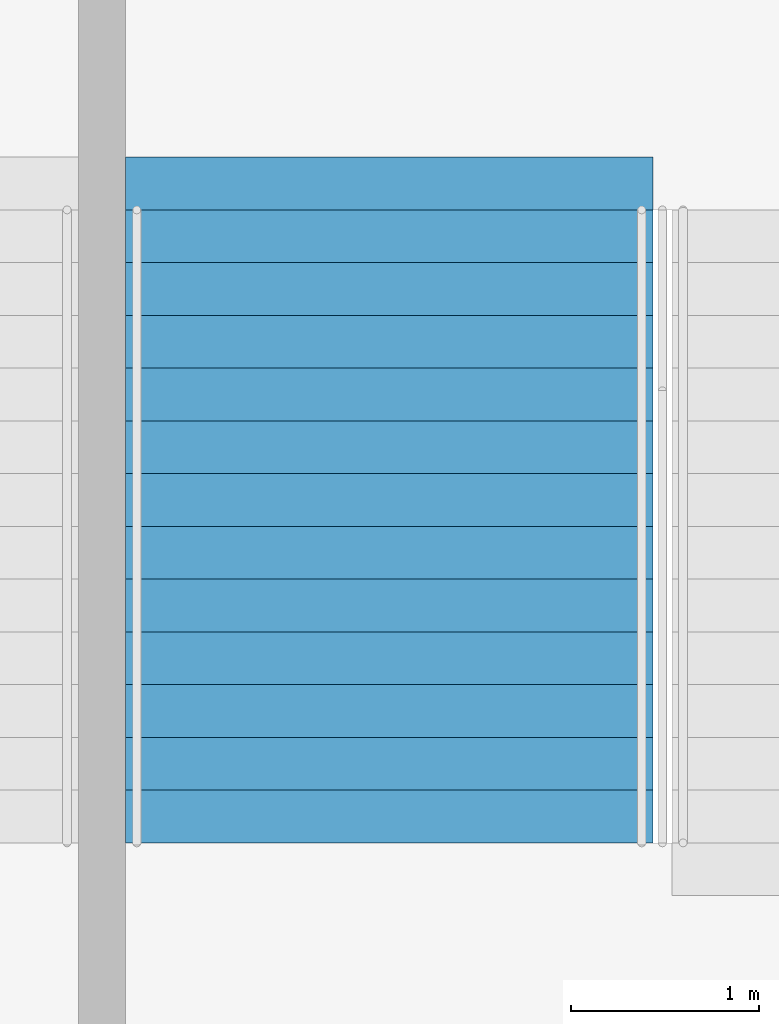
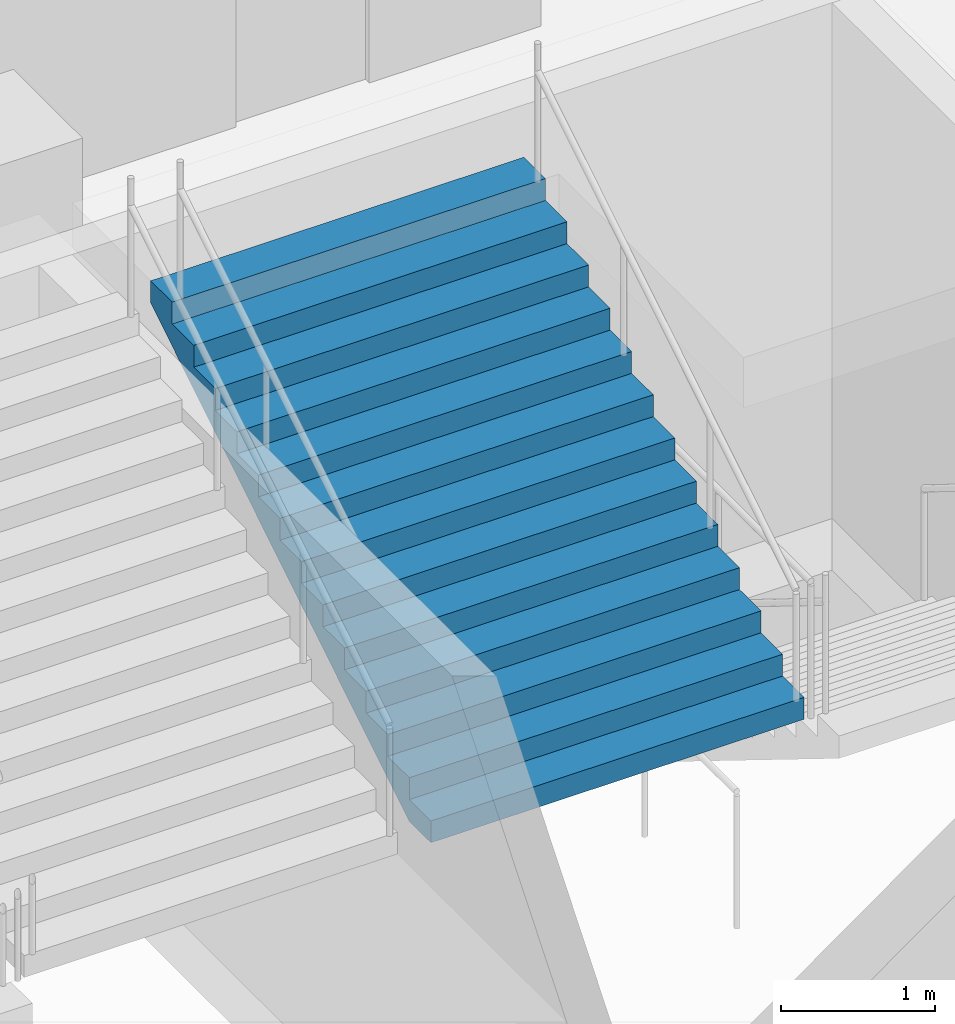
# One storey, part 119 of 199: 1 stair flight, 1 element without a shape of its own.
"""IFC4 building model written with IfcOpenShell, lengths in metres."""

from ifc_helpers import new_model, si_unit, direction, frame, origin, place, context, subcontext, project, spatial, faceted_brep, material, type_object, element, aggregate, save


model = new_model("IFC4")

# Units and contexts
model_context = context("Model", 3, precision=1e-05, world=origin(), true_north=direction((0.0, 1.0)))
body_context = subcontext(model_context, "Body", "Model", "MODEL_VIEW")
ifc_project = project(units=[si_unit("LENGTHUNIT", "METRE"), si_unit("AREAUNIT", "SQUARE_METRE"), si_unit("VOLUMEUNIT", "CUBIC_METRE"), si_unit("PLANEANGLEUNIT", "RADIAN"), si_unit("MASSUNIT", "GRAM", prefix="KILO")], contexts=[model_context])

# Site, building, storey
site_placement = place(None, origin())
site = spatial("IfcSite", under=ifc_project, at=site_placement, CompositionType="ELEMENT")
building_placement = place(site_placement, origin())
building = spatial("IfcBuilding", under=site, at=building_placement, Name="Ogive Plaza Stadium", CompositionType="ELEMENT")
storey_placement = place(building_placement, frame((0.0, 0.0, 9.0)))
storey = spatial("IfcBuildingStorey", under=building, at=storey_placement, Name="L02", CompositionType="ELEMENT", Elevation=9.0)

# Stair, stair flight
ifc_material_1 = material(Name="Concrete C40/50", Category="concrete")
stair_type = type_object("IfcStairType", Name="Exit stair", PredefinedType="STRAIGHT_RUN_STAIR", material=ifc_material_1)
stair_placement = place(storey_placement, origin())
stair = element("IfcStair", 1, at=stair_placement, inside=storey, type_object=stair_type, Name="Exit stair ST14B L02 to L03", PredefinedType="STRAIGHT_RUN_STAIR")
ifc_material_2 = material(Name="Concrete C40/50", Category="concrete")
stair_flight_type = type_object("IfcStairFlightType", Name="Exit stair flight", PredefinedType="STRAIGHT", material=ifc_material_2)
stair_flight_placement = place(storey_placement, frame((8.324951171875, -98.2099609375, 2.25), z_axis=(0.0, 0.0, 1.0), x_axis=(0.0, 1.0, 0.0)))
stair_flight = element("IfcStairFlight", 2, at=stair_flight_placement, type_object=stair_flight_type, Name="ST14B flight 2", NumberOfRisers=13, NumberOfTreads=12, PredefinedType="STRAIGHT", RiserHeight=0.173076923, TreadLength=0.28, context=body_context, shape_type="Brep", body=[
    faceted_brep([(0.28515625, -1.39990234375, 0.0), (3.639892578125, -1.39990234375, 2.07373046875), (3.639892578125, -1.39990234375, 2.25), (3.360107421875, -1.39990234375, 2.25), (3.360107421875, -1.39990234375, 2.076904296875), (3.080078125, -1.39990234375, 2.076904296875), (3.080078125, -1.39990234375, 1.90380859375), (2.800048828125, -1.39990234375, 1.90380859375), (2.800048828125, -1.39990234375, 1.730712890625), (2.52001953125, -1.39990234375, 1.730712890625), (2.52001953125, -1.39990234375, 1.5576171875), (2.239990234375, -1.39990234375, 1.5576171875), (2.239990234375, -1.39990234375, 1.384521484375), (1.9599609375, -1.39990234375, 1.384521484375), (1.9599609375, -1.39990234375, 1.21142578125), (1.679931640625, -1.39990234375, 1.21142578125), (1.679931640625, -1.39990234375, 1.03857421875), (1.39990234375, -1.39990234375, 1.03857421875), (1.39990234375, -1.39990234375, 0.865478515625), (1.1201171875, -1.39990234375, 0.865478515625), (1.1201171875, -1.39990234375, 0.6923828125), (0.840087890625, -1.39990234375, 0.6923828125), (0.840087890625, -1.39990234375, 0.519287109375), (0.56005859375, -1.39990234375, 0.519287109375), (0.56005859375, -1.39990234375, 0.34619140625), (0.280029296875, -1.39990234375, 0.34619140625), (0.280029296875, -1.39990234375, 0.173095703125), (0.0, -1.39990234375, 0.173095703125), (0.0, -1.39990234375, 0.0), (0.0, 1.39990234375, 0.0), (0.0, 1.39990234375, 0.173095703125), (0.280029296875, 1.39990234375, 0.173095703125), (0.280029296875, 1.39990234375, 0.34619140625), (0.56005859375, 1.39990234375, 0.34619140625), (0.56005859375, 1.39990234375, 0.519287109375), (0.840087890625, 1.39990234375, 0.519287109375), (0.840087890625, 1.39990234375, 0.6923828125), (1.1201171875, 1.39990234375, 0.6923828125), (1.1201171875, 1.39990234375, 0.865478515625), (1.39990234375, 1.39990234375, 0.865478515625), (1.39990234375, 1.39990234375, 1.03857421875), (1.679931640625, 1.39990234375, 1.03857421875), (1.679931640625, 1.39990234375, 1.21142578125), (1.9599609375, 1.39990234375, 1.21142578125), (1.9599609375, 1.39990234375, 1.384521484375), (2.239990234375, 1.39990234375, 1.384521484375), (2.239990234375, 1.39990234375, 1.5576171875), (2.52001953125, 1.39990234375, 1.5576171875), (2.52001953125, 1.39990234375, 1.730712890625), (2.800048828125, 1.39990234375, 1.730712890625), (2.800048828125, 1.39990234375, 1.90380859375), (3.080078125, 1.39990234375, 1.90380859375), (3.080078125, 1.39990234375, 2.076904296875), (3.360107421875, 1.39990234375, 2.076904296875), (3.360107421875, 1.39990234375, 2.25), (3.639892578125, 1.39990234375, 2.25), (3.639892578125, 1.39990234375, 2.07373046875), (0.28515625, 1.39990234375, 0.0), (0.28515625, -1.0888671875, 0.0), (3.639892578125, -1.0888671875, 2.07373046875), (0.28515625, -0.77783203125, 0.0), (3.639892578125, -0.77783203125, 2.07373046875), (0.28515625, -0.466796875, 0.0), (3.639892578125, -0.466796875, 2.07373046875), (0.28515625, -0.155517578125, 0.0), (3.639892578125, -0.155517578125, 2.07373046875), (0.28515625, 0.155517578125, 0.0), (3.639892578125, 0.155517578125, 2.07373046875), (0.28515625, 0.466796875, 0.0), (3.639892578125, 0.466796875, 2.07373046875), (0.28515625, 0.77783203125, 0.0), (3.639892578125, 0.77783203125, 2.07373046875), (0.28515625, 1.0888671875, 0.0), (3.639892578125, 1.0888671875, 2.07373046875), (3.639892578125, -1.0888671875, 2.25), (3.639892578125, -0.77783203125, 2.25), (3.639892578125, -0.466796875, 2.25), (3.639892578125, -0.155517578125, 2.25), (3.639892578125, 0.155517578125, 2.25), (3.639892578125, 0.466796875, 2.25), (3.639892578125, 0.77783203125, 2.25), (3.639892578125, 1.0888671875, 2.25), (3.360107421875, -1.0888671875, 2.25), (3.360107421875, -0.77783203125, 2.25), (3.360107421875, -0.466796875, 2.25), (3.360107421875, -0.155517578125, 2.25), (3.360107421875, 0.155517578125, 2.25), (3.360107421875, 0.466796875, 2.25), (3.360107421875, 0.77783203125, 2.25), (3.360107421875, 1.0888671875, 2.25), (3.360107421875, -1.0888671875, 2.076904296875), (3.360107421875, -0.77783203125, 2.076904296875), (3.360107421875, -0.466796875, 2.076904296875), (3.360107421875, -0.155517578125, 2.076904296875), (3.360107421875, 0.155517578125, 2.076904296875), (3.360107421875, 0.466796875, 2.076904296875), (3.360107421875, 0.77783203125, 2.076904296875), (3.360107421875, 1.0888671875, 2.076904296875), (3.080078125, -1.0888671875, 2.076904296875), (3.080078125, -0.77783203125, 2.076904296875), (3.080078125, -0.466796875, 2.076904296875), (3.080078125, -0.155517578125, 2.076904296875), (3.080078125, 0.155517578125, 2.076904296875), (3.080078125, 0.466796875, 2.076904296875), (3.080078125, 0.77783203125, 2.076904296875), (3.080078125, 1.0888671875, 2.076904296875), (3.080078125, -1.0888671875, 1.90380859375), (3.080078125, -0.77783203125, 1.90380859375), (3.080078125, -0.466796875, 1.90380859375), (3.080078125, -0.155517578125, 1.90380859375), (3.080078125, 0.155517578125, 1.90380859375), (3.080078125, 0.466796875, 1.90380859375), (3.080078125, 0.77783203125, 1.90380859375), (3.080078125, 1.0888671875, 1.90380859375), (2.800048828125, -1.0888671875, 1.90380859375), (2.800048828125, -0.77783203125, 1.90380859375), (2.800048828125, -0.466796875, 1.90380859375), (2.800048828125, -0.155517578125, 1.90380859375), (2.800048828125, 0.155517578125, 1.90380859375), (2.800048828125, 0.466796875, 1.90380859375), (2.800048828125, 0.77783203125, 1.90380859375), (2.800048828125, 1.0888671875, 1.90380859375), (2.800048828125, -1.0888671875, 1.730712890625), (2.800048828125, -0.77783203125, 1.730712890625), (2.800048828125, -0.466796875, 1.730712890625), (2.800048828125, -0.155517578125, 1.730712890625), (2.800048828125, 0.155517578125, 1.730712890625), (2.800048828125, 0.466796875, 1.730712890625), (2.800048828125, 0.77783203125, 1.730712890625), (2.800048828125, 1.0888671875, 1.730712890625), (2.52001953125, -1.0888671875, 1.730712890625), (2.52001953125, -0.77783203125, 1.730712890625), (2.52001953125, -0.466796875, 1.730712890625), (2.52001953125, -0.155517578125, 1.730712890625), (2.52001953125, 0.155517578125, 1.730712890625), (2.52001953125, 0.466796875, 1.730712890625), (2.52001953125, 0.77783203125, 1.730712890625), (2.52001953125, 1.0888671875, 1.730712890625), (2.52001953125, -1.0888671875, 1.5576171875), (2.52001953125, -0.77783203125, 1.5576171875), (2.52001953125, -0.466796875, 1.5576171875), (2.52001953125, -0.155517578125, 1.5576171875), (2.52001953125, 0.155517578125, 1.5576171875), (2.52001953125, 0.466796875, 1.5576171875), (2.52001953125, 0.77783203125, 1.5576171875), (2.52001953125, 1.0888671875, 1.5576171875), (2.239990234375, -1.0888671875, 1.5576171875), (2.239990234375, -0.77783203125, 1.5576171875), (2.239990234375, -0.466796875, 1.5576171875), (2.239990234375, -0.155517578125, 1.5576171875), (2.239990234375, 0.155517578125, 1.5576171875), (2.239990234375, 0.466796875, 1.5576171875), (2.239990234375, 0.77783203125, 1.5576171875), (2.239990234375, 1.0888671875, 1.5576171875), (2.239990234375, -1.0888671875, 1.384521484375), (2.239990234375, -0.77783203125, 1.384521484375), (2.239990234375, -0.466796875, 1.384521484375), (2.239990234375, -0.155517578125, 1.384521484375), (2.239990234375, 0.155517578125, 1.384521484375), (2.239990234375, 0.466796875, 1.384521484375), (2.239990234375, 0.77783203125, 1.384521484375), (2.239990234375, 1.0888671875, 1.384521484375), (1.9599609375, -1.0888671875, 1.384521484375), (1.9599609375, -0.77783203125, 1.384521484375), (1.9599609375, -0.466796875, 1.384521484375), (1.9599609375, -0.155517578125, 1.384521484375), (1.9599609375, 0.155517578125, 1.384521484375), (1.9599609375, 0.466796875, 1.384521484375), (1.9599609375, 0.77783203125, 1.384521484375), (1.9599609375, 1.0888671875, 1.384521484375), (1.9599609375, -1.0888671875, 1.21142578125), (1.9599609375, -0.77783203125, 1.21142578125), (1.9599609375, -0.466796875, 1.21142578125), (1.9599609375, -0.155517578125, 1.21142578125), (1.9599609375, 0.155517578125, 1.21142578125), (1.9599609375, 0.466796875, 1.21142578125), (1.9599609375, 0.77783203125, 1.21142578125), (1.9599609375, 1.0888671875, 1.21142578125), (1.679931640625, -1.0888671875, 1.21142578125), (1.679931640625, -0.77783203125, 1.21142578125), (1.679931640625, -0.466796875, 1.21142578125), (1.679931640625, -0.155517578125, 1.21142578125), (1.679931640625, 0.155517578125, 1.21142578125), (1.679931640625, 0.466796875, 1.21142578125), (1.679931640625, 0.77783203125, 1.21142578125), (1.679931640625, 1.0888671875, 1.21142578125), (1.679931640625, -1.0888671875, 1.03857421875), (1.679931640625, -0.77783203125, 1.03857421875), (1.679931640625, -0.466796875, 1.03857421875), (1.679931640625, -0.155517578125, 1.03857421875), (1.679931640625, 0.155517578125, 1.03857421875), (1.679931640625, 0.466796875, 1.03857421875), (1.679931640625, 0.77783203125, 1.03857421875), (1.679931640625, 1.0888671875, 1.03857421875), (1.39990234375, -1.0888671875, 1.03857421875), (1.39990234375, -0.77783203125, 1.03857421875), (1.39990234375, -0.466796875, 1.03857421875), (1.39990234375, -0.155517578125, 1.03857421875), (1.39990234375, 0.155517578125, 1.03857421875), (1.39990234375, 0.466796875, 1.03857421875), (1.39990234375, 0.77783203125, 1.03857421875), (1.39990234375, 1.0888671875, 1.03857421875), (1.39990234375, -1.0888671875, 0.865478515625), (1.39990234375, -0.77783203125, 0.865478515625), (1.39990234375, -0.466796875, 0.865478515625), (1.39990234375, -0.155517578125, 0.865478515625), (1.39990234375, 0.155517578125, 0.865478515625), (1.39990234375, 0.466796875, 0.865478515625), (1.39990234375, 0.77783203125, 0.865478515625), (1.39990234375, 1.0888671875, 0.865478515625), (1.1201171875, -1.0888671875, 0.865478515625), (1.1201171875, -0.77783203125, 0.865478515625), (1.1201171875, -0.466796875, 0.865478515625), (1.1201171875, -0.155517578125, 0.865478515625), (1.1201171875, 0.155517578125, 0.865478515625), (1.1201171875, 0.466796875, 0.865478515625), (1.1201171875, 0.77783203125, 0.865478515625), (1.1201171875, 1.0888671875, 0.865478515625), (1.1201171875, -1.0888671875, 0.6923828125), (1.1201171875, -0.77783203125, 0.6923828125), (1.1201171875, -0.466796875, 0.6923828125), (1.1201171875, -0.155517578125, 0.6923828125), (1.1201171875, 0.155517578125, 0.6923828125), (1.1201171875, 0.466796875, 0.6923828125), (1.1201171875, 0.77783203125, 0.6923828125), (1.1201171875, 1.0888671875, 0.6923828125), (0.840087890625, -1.0888671875, 0.6923828125), (0.840087890625, -0.77783203125, 0.6923828125), (0.840087890625, -0.466796875, 0.6923828125), (0.840087890625, -0.155517578125, 0.6923828125), (0.840087890625, 0.155517578125, 0.6923828125), (0.840087890625, 0.466796875, 0.6923828125), (0.840087890625, 0.77783203125, 0.6923828125), (0.840087890625, 1.0888671875, 0.6923828125), (0.840087890625, -1.0888671875, 0.519287109375), (0.840087890625, -0.77783203125, 0.519287109375), (0.840087890625, -0.466796875, 0.519287109375), (0.840087890625, -0.155517578125, 0.519287109375), (0.840087890625, 0.155517578125, 0.519287109375), (0.840087890625, 0.466796875, 0.519287109375), (0.840087890625, 0.77783203125, 0.519287109375), (0.840087890625, 1.0888671875, 0.519287109375), (0.56005859375, -1.0888671875, 0.519287109375), (0.56005859375, -0.77783203125, 0.519287109375), (0.56005859375, -0.466796875, 0.519287109375), (0.56005859375, -0.155517578125, 0.519287109375), (0.56005859375, 0.155517578125, 0.519287109375), (0.56005859375, 0.466796875, 0.519287109375), (0.56005859375, 0.77783203125, 0.519287109375), (0.56005859375, 1.0888671875, 0.519287109375), (0.56005859375, -1.0888671875, 0.34619140625), (0.56005859375, -0.77783203125, 0.34619140625), (0.56005859375, -0.466796875, 0.34619140625), (0.56005859375, -0.155517578125, 0.34619140625), (0.56005859375, 0.155517578125, 0.34619140625), (0.56005859375, 0.466796875, 0.34619140625), (0.56005859375, 0.77783203125, 0.34619140625), (0.56005859375, 1.0888671875, 0.34619140625), (0.280029296875, -1.0888671875, 0.34619140625), (0.280029296875, -0.77783203125, 0.34619140625), (0.280029296875, -0.466796875, 0.34619140625), (0.280029296875, -0.155517578125, 0.34619140625), (0.280029296875, 0.155517578125, 0.34619140625), (0.280029296875, 0.466796875, 0.34619140625), (0.280029296875, 0.77783203125, 0.34619140625), (0.280029296875, 1.0888671875, 0.34619140625), (0.280029296875, -1.0888671875, 0.173095703125), (0.280029296875, -0.77783203125, 0.173095703125), (0.280029296875, -0.466796875, 0.173095703125), (0.280029296875, -0.155517578125, 0.173095703125), (0.280029296875, 0.155517578125, 0.173095703125), (0.280029296875, 0.466796875, 0.173095703125), (0.280029296875, 0.77783203125, 0.173095703125), (0.280029296875, 1.0888671875, 0.173095703125), (0.0, -1.0888671875, 0.173095703125), (0.0, -0.77783203125, 0.173095703125), (0.0, -0.466796875, 0.173095703125), (0.0, -0.155517578125, 0.173095703125), (0.0, 0.155517578125, 0.173095703125), (0.0, 0.466796875, 0.173095703125), (0.0, 0.77783203125, 0.173095703125), (0.0, 1.0888671875, 0.173095703125), (0.0, -1.0888671875, 0.0), (0.0, -0.77783203125, 0.0), (0.0, -0.466796875, 0.0), (0.0, -0.155517578125, 0.0), (0.0, 0.155517578125, 0.0), (0.0, 0.466796875, 0.0), (0.0, 0.77783203125, 0.0), (0.0, 1.0888671875, 0.0)], [[[0, 1, 2, 3, 4, 5, 6, 7, 8, 9, 10, 11, 12, 13, 14, 15, 16, 17, 18, 19, 20, 21, 22, 23, 24, 25, 26, 27, 28]], [[29, 30, 31, 32, 33, 34, 35, 36, 37, 38, 39, 40, 41, 42, 43, 44, 45, 46, 47, 48, 49, 50, 51, 52, 53, 54, 55, 56, 57]], [[0, 58, 59, 1]], [[58, 60, 61, 59]], [[60, 62, 63, 61]], [[62, 64, 65, 63]], [[64, 66, 67, 65]], [[66, 68, 69, 67]], [[68, 70, 71, 69]], [[70, 72, 73, 71]], [[72, 57, 56, 73]], [[1, 59, 74, 2]], [[59, 61, 75, 74]], [[61, 63, 76, 75]], [[63, 65, 77, 76]], [[65, 67, 78, 77]], [[67, 69, 79, 78]], [[69, 71, 80, 79]], [[71, 73, 81, 80]], [[73, 56, 55, 81]], [[2, 74, 82, 3]], [[74, 75, 83, 82]], [[75, 76, 84, 83]], [[76, 77, 85, 84]], [[77, 78, 86, 85]], [[78, 79, 87, 86]], [[79, 80, 88, 87]], [[80, 81, 89, 88]], [[81, 55, 54, 89]], [[3, 82, 90, 4]], [[82, 83, 91, 90]], [[83, 84, 92, 91]], [[84, 85, 93, 92]], [[85, 86, 94, 93]], [[86, 87, 95, 94]], [[87, 88, 96, 95]], [[88, 89, 97, 96]], [[89, 54, 53, 97]], [[4, 90, 98, 5]], [[90, 91, 99, 98]], [[91, 92, 100, 99]], [[92, 93, 101, 100]], [[93, 94, 102, 101]], [[94, 95, 103, 102]], [[95, 96, 104, 103]], [[96, 97, 105, 104]], [[97, 53, 52, 105]], [[5, 98, 106, 6]], [[98, 99, 107, 106]], [[99, 100, 108, 107]], [[100, 101, 109, 108]], [[101, 102, 110, 109]], [[102, 103, 111, 110]], [[103, 104, 112, 111]], [[104, 105, 113, 112]], [[105, 52, 51, 113]], [[6, 106, 114, 7]], [[106, 107, 115, 114]], [[107, 108, 116, 115]], [[108, 109, 117, 116]], [[109, 110, 118, 117]], [[110, 111, 119, 118]], [[111, 112, 120, 119]], [[112, 113, 121, 120]], [[113, 51, 50, 121]], [[7, 114, 122, 8]], [[114, 115, 123, 122]], [[115, 116, 124, 123]], [[116, 117, 125, 124]], [[117, 118, 126, 125]], [[118, 119, 127, 126]], [[119, 120, 128, 127]], [[120, 121, 129, 128]], [[121, 50, 49, 129]], [[8, 122, 130, 9]], [[122, 123, 131, 130]], [[123, 124, 132, 131]], [[124, 125, 133, 132]], [[125, 126, 134, 133]], [[126, 127, 135, 134]], [[127, 128, 136, 135]], [[128, 129, 137, 136]], [[129, 49, 48, 137]], [[9, 130, 138, 10]], [[130, 131, 139, 138]], [[131, 132, 140, 139]], [[132, 133, 141, 140]], [[133, 134, 142, 141]], [[134, 135, 143, 142]], [[135, 136, 144, 143]], [[136, 137, 145, 144]], [[137, 48, 47, 145]], [[10, 138, 146, 11]], [[138, 139, 147, 146]], [[139, 140, 148, 147]], [[140, 141, 149, 148]], [[141, 142, 150, 149]], [[142, 143, 151, 150]], [[143, 144, 152, 151]], [[144, 145, 153, 152]], [[145, 47, 46, 153]], [[11, 146, 154, 12]], [[146, 147, 155, 154]], [[147, 148, 156, 155]], [[148, 149, 157, 156]], [[149, 150, 158, 157]], [[150, 151, 159, 158]], [[151, 152, 160, 159]], [[152, 153, 161, 160]], [[153, 46, 45, 161]], [[12, 154, 162, 13]], [[154, 155, 163, 162]], [[155, 156, 164, 163]], [[156, 157, 165, 164]], [[157, 158, 166, 165]], [[158, 159, 167, 166]], [[159, 160, 168, 167]], [[160, 161, 169, 168]], [[161, 45, 44, 169]], [[13, 162, 170, 14]], [[162, 163, 171, 170]], [[163, 164, 172, 171]], [[164, 165, 173, 172]], [[165, 166, 174, 173]], [[166, 167, 175, 174]], [[167, 168, 176, 175]], [[168, 169, 177, 176]], [[169, 44, 43, 177]], [[14, 170, 178, 15]], [[170, 171, 179, 178]], [[171, 172, 180, 179]], [[172, 173, 181, 180]], [[173, 174, 182, 181]], [[174, 175, 183, 182]], [[175, 176, 184, 183]], [[176, 177, 185, 184]], [[177, 43, 42, 185]], [[15, 178, 186, 16]], [[178, 179, 187, 186]], [[179, 180, 188, 187]], [[180, 181, 189, 188]], [[181, 182, 190, 189]], [[182, 183, 191, 190]], [[183, 184, 192, 191]], [[184, 185, 193, 192]], [[185, 42, 41, 193]], [[16, 186, 194, 17]], [[186, 187, 195, 194]], [[187, 188, 196, 195]], [[188, 189, 197, 196]], [[189, 190, 198, 197]], [[190, 191, 199, 198]], [[191, 192, 200, 199]], [[192, 193, 201, 200]], [[193, 41, 40, 201]], [[17, 194, 202, 18]], [[194, 195, 203, 202]], [[195, 196, 204, 203]], [[196, 197, 205, 204]], [[197, 198, 206, 205]], [[198, 199, 207, 206]], [[199, 200, 208, 207]], [[200, 201, 209, 208]], [[201, 40, 39, 209]], [[18, 202, 210, 19]], [[202, 203, 211, 210]], [[203, 204, 212, 211]], [[204, 205, 213, 212]], [[205, 206, 214, 213]], [[206, 207, 215, 214]], [[207, 208, 216, 215]], [[208, 209, 217, 216]], [[209, 39, 38, 217]], [[19, 210, 218, 20]], [[210, 211, 219, 218]], [[211, 212, 220, 219]], [[212, 213, 221, 220]], [[213, 214, 222, 221]], [[214, 215, 223, 222]], [[215, 216, 224, 223]], [[216, 217, 225, 224]], [[217, 38, 37, 225]], [[20, 218, 226, 21]], [[218, 219, 227, 226]], [[219, 220, 228, 227]], [[220, 221, 229, 228]], [[221, 222, 230, 229]], [[222, 223, 231, 230]], [[223, 224, 232, 231]], [[224, 225, 233, 232]], [[225, 37, 36, 233]], [[21, 226, 234, 22]], [[226, 227, 235, 234]], [[227, 228, 236, 235]], [[228, 229, 237, 236]], [[229, 230, 238, 237]], [[230, 231, 239, 238]], [[231, 232, 240, 239]], [[232, 233, 241, 240]], [[233, 36, 35, 241]], [[22, 234, 242, 23]], [[234, 235, 243, 242]], [[235, 236, 244, 243]], [[236, 237, 245, 244]], [[237, 238, 246, 245]], [[238, 239, 247, 246]], [[239, 240, 248, 247]], [[240, 241, 249, 248]], [[241, 35, 34, 249]], [[23, 242, 250, 24]], [[242, 243, 251, 250]], [[243, 244, 252, 251]], [[244, 245, 253, 252]], [[245, 246, 254, 253]], [[246, 247, 255, 254]], [[247, 248, 256, 255]], [[248, 249, 257, 256]], [[249, 34, 33, 257]], [[24, 250, 258, 25]], [[250, 251, 259, 258]], [[251, 252, 260, 259]], [[252, 253, 261, 260]], [[253, 254, 262, 261]], [[254, 255, 263, 262]], [[255, 256, 264, 263]], [[256, 257, 265, 264]], [[257, 33, 32, 265]], [[25, 258, 266, 26]], [[258, 259, 267, 266]], [[259, 260, 268, 267]], [[260, 261, 269, 268]], [[261, 262, 270, 269]], [[262, 263, 271, 270]], [[263, 264, 272, 271]], [[264, 265, 273, 272]], [[265, 32, 31, 273]], [[26, 266, 274, 27]], [[266, 267, 275, 274]], [[267, 268, 276, 275]], [[268, 269, 277, 276]], [[269, 270, 278, 277]], [[270, 271, 279, 278]], [[271, 272, 280, 279]], [[272, 273, 281, 280]], [[273, 31, 30, 281]], [[27, 274, 282, 28]], [[274, 275, 283, 282]], [[275, 276, 284, 283]], [[276, 277, 285, 284]], [[277, 278, 286, 285]], [[278, 279, 287, 286]], [[279, 280, 288, 287]], [[280, 281, 289, 288]], [[281, 30, 29, 289]], [[28, 282, 58, 0]], [[282, 283, 60, 58]], [[283, 284, 62, 60]], [[284, 285, 64, 62]], [[285, 286, 66, 64]], [[286, 287, 68, 66]], [[287, 288, 70, 68]], [[288, 289, 72, 70]], [[289, 29, 57, 72]]]),
])
aggregate(stair, [stair_flight])

save(model, "model.ifc")
